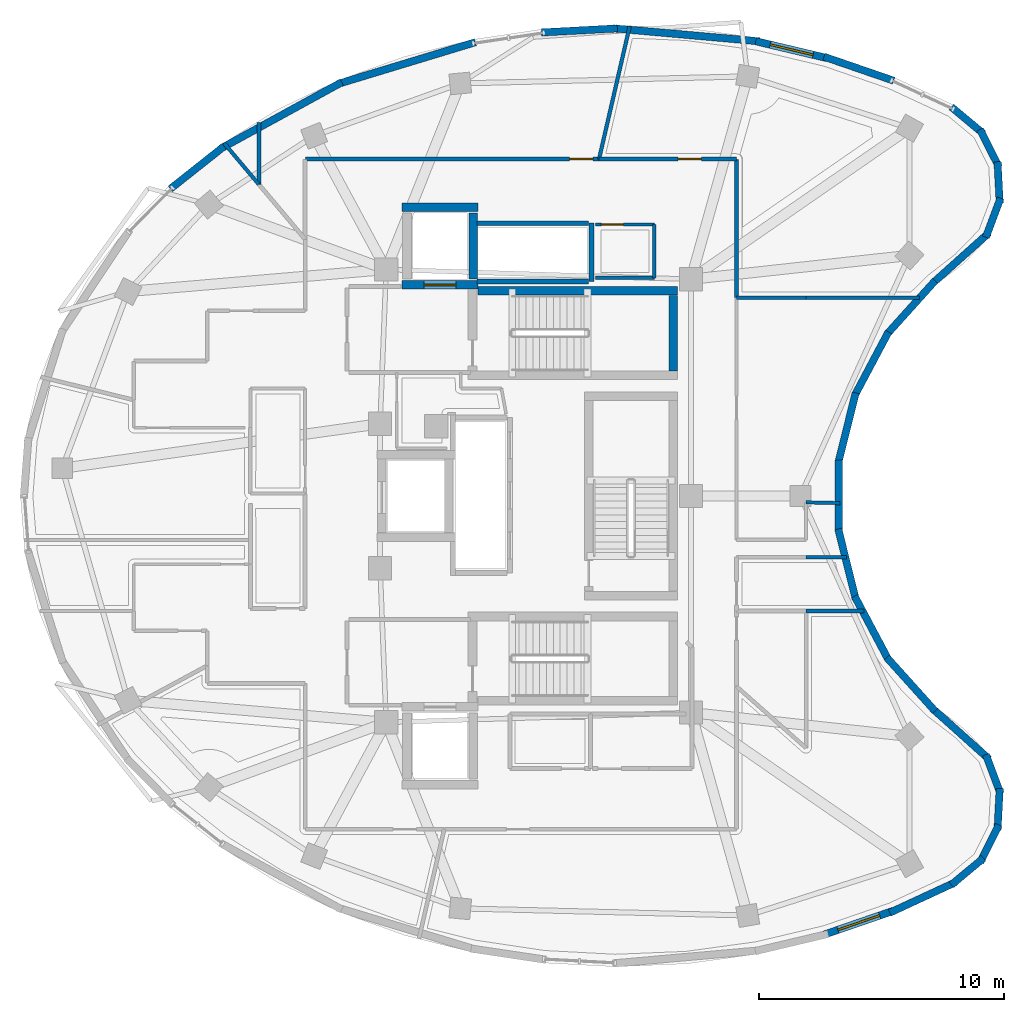
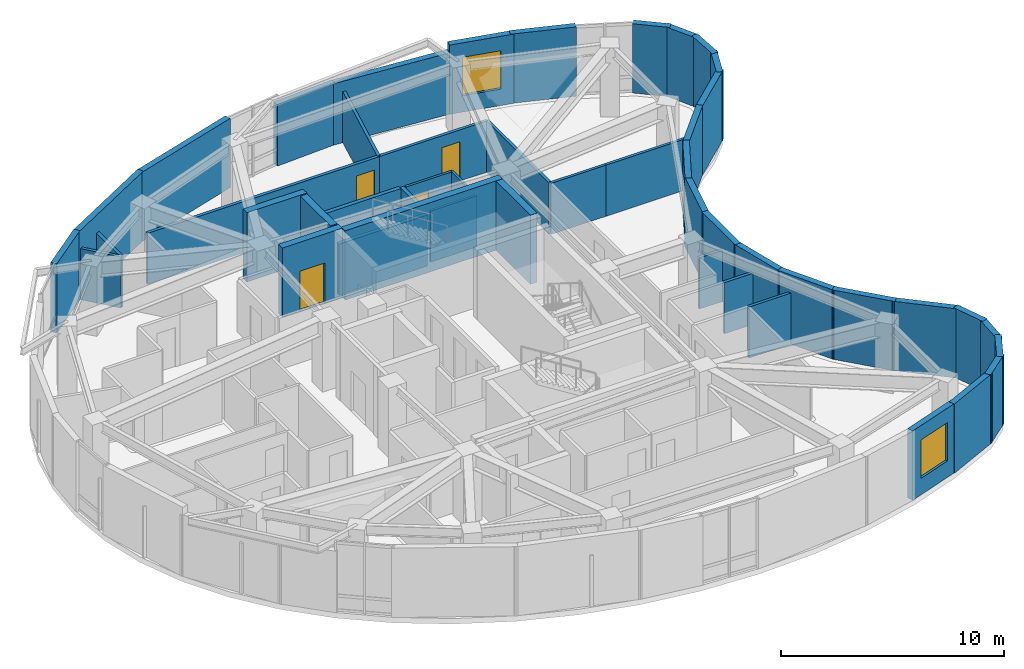
# One storey, part 8 of 12: 48 walls, 4 doors, 2 windows, 6 openings.
"""IFC4 building model written with IfcOpenShell, lengths in metres."""

from ifc_helpers import new_model, si_unit, direction, frame, frame_2d, origin, place, context, subcontext, project, spatial, rectangle, extrude, material, layer, layer_set, type_object, element, fill, save


model = new_model("IFC4")

# Units and contexts
model_context = context("Model", 3, precision=1e-05, world=origin(), true_north=direction((0.0, 1.0)))
body_context = subcontext(model_context, "Body", "Model", "MODEL_VIEW")
ifc_project = project(units=[si_unit("LENGTHUNIT", "METRE"), si_unit("AREAUNIT", "SQUARE_METRE"), si_unit("VOLUMEUNIT", "CUBIC_METRE"), si_unit("PLANEANGLEUNIT", "RADIAN"), si_unit("MASSUNIT", "GRAM", prefix="KILO")], contexts=[model_context])

# Site, building, storey
site_placement = place(None, origin())
site = spatial("IfcSite", under=ifc_project, at=site_placement, CompositionType="ELEMENT")
building_placement = place(site_placement, origin())
building = spatial("IfcBuilding", under=site, at=building_placement, Name="Korentha Bioscience Tower", CompositionType="ELEMENT")
storey_placement = place(building_placement, frame((0.0, 0.0, 282.60009765625)))
storey = spatial("IfcBuildingStorey", under=building, at=storey_placement, Name="L65", CompositionType="ELEMENT", Elevation=282.60009765625)

# Wall, opening, door
ifc_material_1 = material(Name="Double-Stud Acoustic Gypsum", Category="gypsum")
ifc_layer_1 = layer(ifc_material_1, 0.14990234375, Name="Double-Stud Acoustic Gypsum")
ifc_layer_set_1 = layer_set([ifc_layer_1], Name="Double-Stud Acoustic Gypsum (IW-L150)")
wall_type_1 = type_object("IfcWallType", Name="Acoustic Laboratory Partition Wall 150", PredefinedType="PARTITIONING", material=ifc_layer_set_1)
wall_1_placement = place(storey_placement, frame((39.39990234375, 40.760009765625, 0.0), z_axis=(0.0, 0.0, 1.0), x_axis=(-1.0, 0.0, 0.0)))
wall_1 = element("IfcWall", 1, at=wall_1_placement, inside=storey, type_object=wall_type_1, Name="L65 Peptide Synthesis Wet Lab 09 Entrance Wall", PredefinedType="PARTITIONING", context=body_context, shape_type="SweptSolid", body=[
    extrude(rectangle(XDim=5.605712890625, YDim=0.14990234375, at=frame_2d((2.802734375, 0.0))), origin(), (0.0, 0.0, 1.0), 2.7998046875),
])
opening_1_placement = place(wall_1_placement, frame((1.427978515625, 0.0, 0.0)))
opening_1 = element("IfcOpeningElement", 2, at=opening_1_placement, cuts=wall_1, Name="Opening ID-10R", PredefinedType="OPENING", context=body_context, shape_type="SweptSolid", body=[
    extrude(rectangle(XDim=0.949951171875, YDim=2.14990234375, at=frame_2d((0.47509765625, 1.074951171875))), frame((0.0, 0.08984375, 0.0), z_axis=(0.0, -1.0, 0.0), x_axis=(1.0, 0.0, 0.0)), (0.0, 0.0, 1.0), 0.1796875),
])
ifc_material_2 = material(Name="Phenolic Laminate Timber Core", Category="wood")
door_type_1 = type_object("IfcDoorType", Name="Laboratory Single Leaf Door 950x2150 Right", OperationType="SINGLE_SWING_RIGHT", PredefinedType="DOOR", material=ifc_material_2)
door_1_placement = place(opening_1_placement, origin())
door_1 = element("IfcDoor", 3, at=door_1_placement, inside=storey, type_object=door_type_1, Name="L65 Peptide Synthesis Wet Lab 09 Door", OperationType="SINGLE_SWING_RIGHT", OverallHeight=2.14990234375, OverallWidth=0.949951171875, PredefinedType="DOOR", context=body_context, shape_type="SweptSolid", body=[
    extrude(rectangle(XDim=0.949951171875, YDim=2.14990234375, at=frame_2d((0.47509765625, 1.074951171875))), frame((0.0, 0.02490234375, 0.0), z_axis=(0.0, -1.0, 0.0), x_axis=(1.0, 0.0, 0.0)), (0.0, 0.0, 1.0), 0.050048828125),
])
fill(opening_1, door_1)

# Walls
wall_2_placement = place(storey_placement, frame((42.252197265625, 22.298095703125, 0.0), z_axis=(0.0, 0.0, 1.0), x_axis=(1.0, 0.0, 0.0)))
element("IfcWall", 4, at=wall_2_placement, inside=storey, type_object=wall_type_1, Name="L65 Interior Partition 046", PredefinedType="PARTITIONING", context=body_context, shape_type="SweptSolid", body=[
    extrude(rectangle(XDim=2.37060546875, YDim=0.14990234375, at=frame_2d((1.185302734375, 0.0))), origin(), (0.0, 0.0, 1.0), 2.7998046875),
])
wall_3_placement = place(storey_placement, frame((42.252197265625, 24.498046875, 0.0), z_axis=(0.0, 0.0, 1.0), x_axis=(1.0, 0.0, 0.0)))
element("IfcWall", 5, at=wall_3_placement, inside=storey, type_object=wall_type_1, Name="L65 Interior Partition 050", PredefinedType="PARTITIONING", context=body_context, shape_type="SweptSolid", body=[
    extrude(rectangle(XDim=1.650634765625, YDim=0.14990234375, at=frame_2d((0.8251953125, 0.0))), origin(), (0.0, 0.0, 1.0), 2.7998046875),
])
wall_4_placement = place(storey_placement, frame((39.409912109375, 35.10791015625, 0.0), z_axis=(0.0, 0.0, 1.0), x_axis=(0.0, 1.0, 0.0)))
element("IfcWall", 6, at=wall_4_placement, inside=storey, type_object=wall_type_1, Name="L65 Interior Partition 057", PredefinedType="PARTITIONING", context=body_context, shape_type="SweptSolid", body=[
    extrude(rectangle(XDim=5.64208984375, YDim=0.14990234375, at=frame_2d((2.821044921875, 0.0))), origin(), (0.0, 0.0, 1.0), 2.7998046875),
])
wall_5_placement = place(storey_placement, frame((33.794189453125, 40.760009765625, 0.0), z_axis=(0.0, 0.0, 1.0), x_axis=(0.224974808594, 0.974364580379, 0.0)))
element("IfcWall", 7, at=wall_5_placement, inside=storey, type_object=wall_type_1, Name="L65 Interior Partition 058", PredefinedType="PARTITIONING", context=body_context, shape_type="SweptSolid", body=[
    extrude(rectangle(XDim=5.567138671875, YDim=0.14990234375, at=frame_2d((2.78369140625, 0.0))), origin(), (0.0, 0.0, 1.0), 2.7998046875),
])
wall_6_placement = place(storey_placement, frame((18.479248046875, 41.4091796875, 0.0), z_axis=(0.0, 0.0, 1.0), x_axis=(0.644139173412, -0.764908311679, 0.0)))
element("IfcWall", 8, at=wall_6_placement, inside=storey, type_object=wall_type_1, Name="L65 Interior Partition 067", PredefinedType="PARTITIONING", context=body_context, shape_type="SweptSolid", body=[
    extrude(rectangle(XDim=2.193359375, YDim=0.14990234375, at=frame_2d((1.0966796875, 0.0))), origin(), (0.0, 0.0, 1.0), 2.7998046875),
])
ifc_material_3 = material(Name="Insulated Aluminium Honeycomb Panel", Category="aluminium")
ifc_layer_2 = layer(ifc_material_3, 0.139892578125, Name="Insulated Aluminium Honeycomb Panel")
ifc_layer_set_2 = layer_set([ifc_layer_2], Name="Insulated Aluminium Honeycomb Panel (IW-F60)")
wall_type_2 = type_object("IfcWallType", Name="Cleanroom Flush Metal Panel Partition 140", PredefinedType="PARTITIONING", material=ifc_layer_set_2)
wall_7_placement = place(storey_placement, frame((42.252197265625, 35.097900390625, 0.0), z_axis=(0.0, 0.0, 1.0), x_axis=(1.0, 0.0, 0.0)))
element("IfcWall", 9, at=wall_7_placement, inside=storey, type_object=wall_type_2, Name="L65 Interior Partition 052", PredefinedType="PARTITIONING", context=body_context, shape_type="SweptSolid", body=[
    extrude(rectangle(XDim=4.630859375, YDim=0.139892578125, at=frame_2d((2.3154296875, 0.0))), origin(), (0.0, 0.0, 1.0), 2.7998046875),
])
wall_8_placement = place(storey_placement, frame((43.634033203125, 26.70654296875, 0.0), z_axis=(0.0, 0.0, 1.0), x_axis=(-0.999744382527, 0.022609060241, 0.0)))
element("IfcWall", 10, at=wall_8_placement, inside=storey, type_object=wall_type_2, Name="L65 Interior Partition 053", PredefinedType="PARTITIONING", context=body_context, shape_type="SweptSolid", body=[
    extrude(rectangle(XDim=1.382080078125, YDim=0.139892578125, at=frame_2d((0.69091796875, 0.0))), origin(), (0.0, 0.0, 1.0), 2.7998046875),
])
wall_9_placement = place(storey_placement, frame((39.409912109375, 35.097900390625, 0.0), z_axis=(0.0, 0.0, 1.0), x_axis=(1.0, 0.0, 0.0)))
element("IfcWall", 11, at=wall_9_placement, inside=storey, type_object=wall_type_2, Name="L65 Interior Partition 056", PredefinedType="PARTITIONING", context=body_context, shape_type="SweptSolid", body=[
    extrude(rectangle(XDim=2.837890625, YDim=0.139892578125, at=frame_2d((1.4189453125, 0.0))), origin(), (0.0, 0.0, 1.0), 2.7998046875),
])

# Wall, opening, door
ifc_material_4 = material(Name="Gypsum-Clad Steel Stud", Category="steel")
ifc_layer_3 = layer(ifc_material_4, 0.159912109375, Name="Gypsum-Clad Steel Stud")
ifc_layer_set_3 = layer_set([ifc_layer_3], Name="Gypsum-Clad Steel Stud (IW-C160)")
wall_type_3 = type_object("IfcWallType", Name="Fire-Rated Corridor Partition Wall 160", PredefinedType="PARTITIONING", material=ifc_layer_set_3)
wall_10_placement = place(storey_placement, frame((33.7841796875, 40.760009765625, 0.0), z_axis=(0.0, 0.0, 1.0), x_axis=(-1.0, 0.0, 0.0)))
wall_10 = element("IfcWall", 12, at=wall_10_placement, inside=storey, type_object=wall_type_3, Name="L65 Ultrapure Water Polisher Plant Alcove 10 Entrance Wall", PredefinedType="PARTITIONING", context=body_context, shape_type="SweptSolid", body=[
    extrude(rectangle(XDim=11.984130859375, YDim=0.159912109375, at=frame_2d((5.9921875, 0.0))), origin(), (0.0, 0.0, 1.0), 2.7998046875),
])
opening_2_placement = place(wall_10_placement, frame((0.239990234375, 0.0, 0.0)))
opening_2 = element("IfcOpeningElement", 13, at=opening_2_placement, cuts=wall_10, Name="Opening FD-120D", PredefinedType="OPENING", context=body_context, shape_type="SweptSolid", body=[
    extrude(rectangle(XDim=0.949951171875, YDim=2.14990234375, at=frame_2d((0.47509765625, 1.074951171875))), frame((0.0, 0.0947265625, 0.0), z_axis=(0.0, -1.0, 0.0), x_axis=(1.0, 0.0, 0.0)), (0.0, 0.0, 1.0), 0.189697265625),
])
ifc_material_5 = material(Name="Heavy-Duty Insulated Steel", Category="steel")
door_type_2 = type_object("IfcDoorType", Name="Plant & Riser Fire Door 950x2150 Left", OperationType="SINGLE_SWING_LEFT", PredefinedType="DOOR", material=ifc_material_5)
door_2_placement = place(opening_2_placement, origin())
door_2 = element("IfcDoor", 14, at=door_2_placement, inside=storey, type_object=door_type_2, Name="L65 Ultrapure Water Polisher Plant Alcove 10 Door", OperationType="SINGLE_SWING_LEFT", OverallHeight=2.14990234375, OverallWidth=0.949951171875, PredefinedType="DOOR", context=body_context, shape_type="SweptSolid", body=[
    extrude(rectangle(XDim=0.949951171875, YDim=2.14990234375, at=frame_2d((0.47509765625, 1.074951171875))), frame((0.0, 0.02490234375, 0.0), z_axis=(0.0, -1.0, 0.0), x_axis=(1.0, 0.0, 0.0)), (0.0, 0.0, 1.0), 0.050048828125),
])
fill(opening_2, door_2)

# Wall
wall_11_placement = place(storey_placement, frame((19.902099609375, 39.725830078125, 0.0), z_axis=(0.0, 0.0, 1.0), x_axis=(0.0, 1.0, 0.0)))
element("IfcWall", 15, at=wall_11_placement, inside=storey, type_object=wall_type_3, Name="L65 Interior Partition 059", PredefinedType="PARTITIONING", context=body_context, shape_type="SweptSolid", body=[
    extrude(rectangle(XDim=2.5224609375, YDim=0.159912109375, at=frame_2d((1.26123046875, 0.0))), origin(), (0.0, 0.0, 1.0), 2.7998046875),
])

# Wall, opening, window
ifc_material_6 = material(Name="Honed Limestone Precast Concrete C40", Category="masonry")
ifc_layer_4 = layer(ifc_material_6, 0.300048828125, Name="Honed Limestone Precast Concrete C40")
ifc_layer_set_4 = layer_set([ifc_layer_4], Name="Honed Limestone Precast Concrete C40 (EW-ST300)")
wall_type_4 = type_object("IfcWallType", Name="Honed Limestone Cavity Spandrel Wall 300", PredefinedType="STANDARD", material=ifc_layer_set_4)
wall_12_placement = place(storey_placement, frame((43.12939453125, 44.87890625, 0.0), z_axis=(0.0, 0.0, 1.0), x_axis=(-0.9731008332, 0.230379618079, 0.0)))
wall_12 = element("IfcWall", 16, at=wall_12_placement, inside=storey, type_object=wall_type_4, Name="L65 Honed Limestone Spandrel Wall 03", PredefinedType="STANDARD", context=body_context, shape_type="SweptSolid", body=[
    extrude(rectangle(XDim=3.014892578125, YDim=0.300048828125, at=frame_2d((1.50732421875, 0.0))), origin(), (0.0, 0.0, 1.0), 3.789794921875),
])
opening_3_placement = place(wall_12_placement, frame((0.607421875, 0.0, 0.89990234375)))
opening_3 = element("IfcOpeningElement", 17, at=opening_3_placement, cuts=wall_12, Name="Opening WN-01", PredefinedType="OPENING", context=body_context, shape_type="SweptSolid", body=[
    extrude(rectangle(XDim=1.800048828125, YDim=2.10009765625, at=frame_2d((0.89990234375, 1.050048828125))), frame((0.0, 0.1650390625, 0.0), z_axis=(0.0, -1.0, 0.0), x_axis=(1.0, 0.0, 0.0)), (0.0, 0.0, 1.0), 0.329833984375),
])
ifc_material_7 = material(Name="Thermally Broken Aluminium Triple Glazing", Category="aluminium")
window_type = type_object("IfcWindowType", Name="Triple-Glazed Fixed Bioscience Window 1800x2100", PartitioningType="SINGLE_PANEL", PredefinedType="WINDOW", material=ifc_material_7)
window_1_placement = place(opening_3_placement, origin())
window_1 = element("IfcWindow", 18, at=window_1_placement, inside=storey, type_object=window_type, Name="L65 Facade Window 03", OverallHeight=2.10009765625, OverallWidth=1.800048828125, PartitioningType="SINGLE_PANEL", PredefinedType="WINDOW", context=body_context, shape_type="SweptSolid", body=[
    extrude(rectangle(XDim=1.800048828125, YDim=2.10009765625, at=frame_2d((0.89990234375, 1.050048828125))), frame((0.0, 0.030029296875, 0.0), z_axis=(0.0, -1.0, 0.0), x_axis=(1.0, 0.0, 0.0)), (0.0, 0.0, 1.0), 0.06005859375),
])
fill(opening_3, window_1)

wall_13_placement = place(storey_placement, frame((42.9990234375, 9.08349609375, 0.0), z_axis=(0.0, 0.0, 1.0), x_axis=(0.945564127376, 0.325435832416, 0.0)))
wall_13 = element("IfcWall", 19, at=wall_13_placement, inside=storey, type_object=wall_type_4, Name="L65 Honed Limestone Spandrel Wall 35", PredefinedType="STANDARD", context=body_context, shape_type="SweptSolid", body=[
    extrude(rectangle(XDim=2.969970703125, YDim=0.300048828125, at=frame_2d((1.48486328125, 0.0))), origin(), (0.0, 0.0, 1.0), 3.789794921875),
])
opening_4_placement = place(wall_13_placement, frame((0.5849609375, 0.0, 0.89990234375)))
opening_4 = element("IfcOpeningElement", 20, at=opening_4_placement, cuts=wall_13, Name="Opening WN-01", PredefinedType="OPENING", context=body_context, shape_type="SweptSolid", body=[
    extrude(rectangle(XDim=1.800048828125, YDim=2.10009765625, at=frame_2d((0.89990234375, 1.050048828125))), frame((0.0, 0.1650390625, 0.0), z_axis=(0.0, -1.0, 0.0), x_axis=(1.0, 0.0, 0.0)), (0.0, 0.0, 1.0), 0.329833984375),
])
window_2_placement = place(opening_4_placement, origin())
window_2 = element("IfcWindow", 21, at=window_2_placement, inside=storey, type_object=window_type, Name="L65 Facade Window 35", OverallHeight=2.10009765625, OverallWidth=1.800048828125, PartitioningType="SINGLE_PANEL", PredefinedType="WINDOW", context=body_context, shape_type="SweptSolid", body=[
    extrude(rectangle(XDim=1.800048828125, YDim=2.10009765625, at=frame_2d((0.89990234375, 1.050048828125))), frame((0.0, 0.030029296875, 0.0), z_axis=(0.0, -1.0, 0.0), x_axis=(1.0, 0.0, 0.0)), (0.0, 0.0, 1.0), 0.06005859375),
])
fill(opening_4, window_2)

# Walls
wall_14_placement = place(storey_placement, frame((45.832763671875, 43.96240234375, 0.0), z_axis=(0.0, 0.0, 1.0), x_axis=(-0.945539222934, 0.325508184064, 0.0)))
element("IfcWall", 22, at=wall_14_placement, inside=storey, type_object=wall_type_4, Name="L65 Limestone Perimeter Closure Wall 02", PredefinedType="STANDARD", context=body_context, shape_type="SweptSolid", body=[
    extrude(rectangle(XDim=3.009765625, YDim=0.300048828125, at=frame_2d((1.5048828125, 0.0))), origin(), (0.0, 0.0, 1.0), 3.789794921875),
])
wall_15_placement = place(storey_placement, frame((40.358154296875, 45.569091796875, 0.0), z_axis=(0.0, 0.0, 1.0), x_axis=(-0.99608733171, 0.088374360578, 0.0)))
element("IfcWall", 23, at=wall_15_placement, inside=storey, type_object=wall_type_4, Name="L65 Limestone Perimeter Closure Wall 04", PredefinedType="STANDARD", context=body_context, shape_type="SweptSolid", body=[
    extrude(rectangle(XDim=6.01953125, YDim=0.300048828125, at=frame_2d((3.009765625, 0.0))), origin(), (0.0, 0.0, 1.0), 3.35986328125),
])
wall_16_placement = place(storey_placement, frame((34.54150390625, 46.097900390625, 0.0), z_axis=(0.0, 0.0, 1.0), x_axis=(-0.998577283854, -0.053323617382, 0.0)))
element("IfcWall", 24, at=wall_16_placement, inside=storey, type_object=wall_type_4, Name="L65 Limestone Perimeter Closure Wall 06", PredefinedType="STANDARD", context=body_context, shape_type="SweptSolid", body=[
    extrude(rectangle(XDim=3.099609375, YDim=0.300048828125, at=frame_2d((1.5498046875, 0.0))), origin(), (0.0, 0.0, 1.0), 3.35986328125),
])
wall_17_placement = place(storey_placement, frame((28.745361328125, 45.53369140625, 0.0), z_axis=(0.0, 0.0, 1.0), x_axis=(-0.95696124157, -0.290215751008, 0.0)))
element("IfcWall", 25, at=wall_17_placement, inside=storey, type_object=wall_type_4, Name="L65 Limestone Perimeter Closure Wall 08", PredefinedType="STANDARD", context=body_context, shape_type="SweptSolid", body=[
    extrude(rectangle(XDim=5.88623046875, YDim=0.300048828125, at=frame_2d((2.943115234375, 0.0))), origin(), (0.0, 0.0, 1.0), 3.789794921875),
])
wall_18_placement = place(storey_placement, frame((23.285888671875, 43.898193359375, 0.0), z_axis=(0.0, 0.0, 1.0), x_axis=(-0.877062479499, -0.480376318166, 0.0)))
element("IfcWall", 26, at=wall_18_placement, inside=storey, type_object=wall_type_4, Name="L65 Limestone Perimeter Closure Wall 10", PredefinedType="STANDARD", context=body_context, shape_type="SweptSolid", body=[
    extrude(rectangle(XDim=5.653564453125, YDim=0.300048828125, at=frame_2d((2.82666015625, 0.0))), origin(), (0.0, 0.0, 1.0), 3.789794921875),
])
wall_19_placement = place(storey_placement, frame((18.47998046875, 41.283447265625, 0.0), z_axis=(0.0, 0.0, 1.0), x_axis=(-0.784028163495, -0.620725252303, 0.0)))
element("IfcWall", 27, at=wall_19_placement, inside=storey, type_object=wall_type_4, Name="L65 Limestone Perimeter Closure Wall 12", PredefinedType="STANDARD", context=body_context, shape_type="SweptSolid", body=[
    extrude(rectangle(XDim=2.80322265625, YDim=0.300048828125, at=frame_2d((1.401611328125, 0.0))), origin(), (0.0, 0.0, 1.0), 3.789794921875),
])
wall_20_placement = place(storey_placement, frame((45.671142578125, 9.97265625, 0.0), z_axis=(0.0, 0.0, 1.0), x_axis=(0.907185947811, 0.420729908722, 0.0)))
element("IfcWall", 28, at=wall_20_placement, inside=storey, type_object=wall_type_4, Name="L65 Limestone Perimeter Closure Wall 36", PredefinedType="STANDARD", context=body_context, shape_type="SweptSolid", body=[
    extrude(rectangle(XDim=2.953125, YDim=0.300048828125, at=frame_2d((1.4765625, 0.0))), origin(), (0.0, 0.0, 1.0), 3.789794921875),
])
for number, where, z_axis, x_axis, name in (
    (29, (48.185302734375, 11.11083984375, 0.0), (0.0, 0.0, 1.0), (0.769148122421, 0.639070548356, 0.0), "L65 Limestone Perimeter Closure Wall 37"),
    (30, (49.363037109375, 12.032470703125, 0.0), (0.0, 0.0, 1.0), (0.44870292085, 0.893680977095, 0.0), "L65 Limestone Perimeter Closure Wall 38"),
):
    element("IfcWall", number, at=place(storey_placement, frame(where, z_axis=z_axis, x_axis=x_axis)), inside=storey, type_object=wall_type_4, Name=name, PredefinedType="STANDARD", context=body_context, shape_type="SweptSolid", body=[
        extrude(rectangle(XDim=1.7041015625, YDim=0.300048828125, at=frame_2d((0.85205078125, 0.0))), origin(), (0.0, 0.0, 1.0), 3.789794921875),
    ])
for number, where, z_axis, x_axis, name in (
    (31, (50.07275390625, 13.3486328125, 0.0), (0.0, 0.0, 1.0), (0.053145273218, 0.998586791388, 0.0), "L65 Limestone Perimeter Closure Wall 39"),
    (32, (50.19580078125, 14.839111328125, 0.0), (0.0, 0.0, 1.0), (-0.351374594418, 0.936234956834, 0.0), "L65 Limestone Perimeter Closure Wall 40"),
):
    element("IfcWall", number, at=place(storey_placement, frame(where, z_axis=z_axis, x_axis=x_axis)), inside=storey, type_object=wall_type_4, Name=name, PredefinedType="STANDARD", context=body_context, shape_type="SweptSolid", body=[
        extrude(rectangle(XDim=1.704345703125, YDim=0.300048828125, at=frame_2d((0.85205078125, 0.0))), origin(), (0.0, 0.0, 1.0), 3.789794921875),
    ])
wall_21_placement = place(storey_placement, frame((49.722412109375, 16.251220703125, 0.0), z_axis=(0.0, 0.0, 1.0), x_axis=(-0.744720921046, 0.667376018266, 0.0)))
element("IfcWall", 33, at=wall_21_placement, inside=storey, type_object=wall_type_4, Name="L65 Limestone Perimeter Closure Wall 41", PredefinedType="STANDARD", context=body_context, shape_type="SweptSolid", body=[
    extrude(rectangle(XDim=3.093505859375, YDim=0.300048828125, at=frame_2d((1.546875, 0.0))), origin(), (0.0, 0.0, 1.0), 3.789794921875),
])
wall_22_placement = place(storey_placement, frame((47.521240234375, 18.21337890625, 0.0), z_axis=(0.0, 0.0, 1.0), x_axis=(-0.669166006669, 0.743112949368, 0.0)))
element("IfcWall", 34, at=wall_22_placement, inside=storey, type_object=wall_type_4, Name="L65 Limestone Perimeter Closure Wall 43", PredefinedType="STANDARD", context=body_context, shape_type="SweptSolid", body=[
    extrude(rectangle(XDim=2.9482421875, YDim=0.300048828125, at=frame_2d((1.47412109375, 0.0))), origin(), (0.0, 0.0, 1.0), 3.789794921875),
])
wall_23_placement = place(storey_placement, frame((45.619873046875, 20.30224609375, 0.0), z_axis=(0.0, 0.0, 1.0), x_axis=(-0.469466013123, 0.882950543644, 0.0)))
element("IfcWall", 35, at=wall_23_placement, inside=storey, type_object=wall_type_4, Name="L65 Limestone Perimeter Closure Wall 45", PredefinedType="STANDARD", context=body_context, shape_type="SweptSolid", body=[
    extrude(rectangle(XDim=2.947998046875, YDim=0.300048828125, at=frame_2d((1.47412109375, 0.0))), origin(), (0.0, 0.0, 1.0), 3.789794921875),
])
wall_24_placement = place(storey_placement, frame((44.280517578125, 22.788818359375, 0.0), z_axis=(0.0, 0.0, 1.0), x_axis=(-0.24195108751, 0.970288447449, 0.0)))
element("IfcWall", 36, at=wall_24_placement, inside=storey, type_object=wall_type_4, Name="L65 Limestone Perimeter Closure Wall 47", PredefinedType="STANDARD", context=body_context, shape_type="SweptSolid", body=[
    extrude(rectangle(XDim=2.948486328125, YDim=0.300048828125, at=frame_2d((1.47412109375, 0.0))), origin(), (0.0, 0.0, 1.0), 3.789794921875),
])
wall_25_placement = place(storey_placement, frame((43.58251953125, 25.52587890625, 0.0), z_axis=(0.0, 0.0, 1.0), x_axis=(0.0, 1.0, 0.0)))
element("IfcWall", 37, at=wall_25_placement, inside=storey, type_object=wall_type_4, Name="L65 Limestone Perimeter Closure Wall 49", PredefinedType="STANDARD", context=body_context, shape_type="SweptSolid", body=[
    extrude(rectangle(XDim=2.9482421875, YDim=0.300048828125, at=frame_2d((1.47412109375, 0.0))), origin(), (0.0, 0.0, 1.0), 3.789794921875),
])
wall_26_placement = place(storey_placement, frame((43.567138671875, 28.350341796875, 0.0), z_axis=(0.0, 0.0, 1.0), x_axis=(0.24195108751, 0.970288447449, 0.0)))
element("IfcWall", 38, at=wall_26_placement, inside=storey, type_object=wall_type_4, Name="L65 Limestone Perimeter Closure Wall 51", PredefinedType="STANDARD", context=body_context, shape_type="SweptSolid", body=[
    extrude(rectangle(XDim=2.948486328125, YDim=0.300048828125, at=frame_2d((1.47412109375, 0.0))), origin(), (0.0, 0.0, 1.0), 3.789794921875),
])
wall_27_placement = place(storey_placement, frame((44.23583984375, 31.0947265625, 0.0), z_axis=(0.0, 0.0, 1.0), x_axis=(0.469466013123, 0.882950543644, 0.0)))
element("IfcWall", 39, at=wall_27_placement, inside=storey, type_object=wall_type_4, Name="L65 Limestone Perimeter Closure Wall 53", PredefinedType="STANDARD", context=body_context, shape_type="SweptSolid", body=[
    extrude(rectangle(XDim=2.947998046875, YDim=0.300048828125, at=frame_2d((1.47412109375, 0.0))), origin(), (0.0, 0.0, 1.0), 3.789794921875),
])
wall_28_placement = place(storey_placement, frame((45.54833984375, 33.595703125, 0.0), z_axis=(0.0, 0.0, 1.0), x_axis=(0.669166006669, 0.743112949368, 0.0)))
element("IfcWall", 40, at=wall_28_placement, inside=storey, type_object=wall_type_4, Name="L65 Limestone Perimeter Closure Wall 55", PredefinedType="STANDARD", context=body_context, shape_type="SweptSolid", body=[
    extrude(rectangle(XDim=2.9482421875, YDim=0.300048828125, at=frame_2d((1.47412109375, 0.0))), origin(), (0.0, 0.0, 1.0), 3.789794921875),
])
wall_29_placement = place(storey_placement, frame((47.418701171875, 35.684326171875, 0.0), z_axis=(0.0, 0.0, 1.0), x_axis=(0.744720921046, 0.667376018266, 0.0)))
element("IfcWall", 41, at=wall_29_placement, inside=storey, type_object=wall_type_4, Name="L65 Limestone Perimeter Closure Wall 57", PredefinedType="STANDARD", context=body_context, shape_type="SweptSolid", body=[
    extrude(rectangle(XDim=3.093505859375, YDim=0.300048828125, at=frame_2d((1.546875, 0.0))), origin(), (0.0, 0.0, 1.0), 3.789794921875),
])
for number, where, z_axis, x_axis, name in (
    (42, (49.596923828125, 37.565185546875, 0.0), (0.0, 0.0, 1.0), (0.351374594418, 0.936234956834, 0.0), "L65 Limestone Perimeter Closure Wall 59"),
    (43, (50.163330078125, 38.949462890625, 0.0), (0.0, 0.0, 1.0), (-0.053145273218, 0.998586791388, 0.0), "L65 Limestone Perimeter Closure Wall 60"),
):
    element("IfcWall", number, at=place(storey_placement, frame(where, z_axis=z_axis, x_axis=x_axis)), inside=storey, type_object=wall_type_4, Name=name, PredefinedType="STANDARD", context=body_context, shape_type="SweptSolid", body=[
        extrude(rectangle(XDim=1.704345703125, YDim=0.300048828125, at=frame_2d((0.85205078125, 0.0))), origin(), (0.0, 0.0, 1.0), 3.789794921875),
    ])
for number, where, z_axis, x_axis, name in (
    (44, (50.127685546875, 40.444580078125, 0.0), (0.0, 0.0, 1.0), (-0.44870292085, 0.893680977095, 0.0), "L65 Limestone Perimeter Closure Wall 61"),
    (45, (49.49609375, 41.800048828125, 0.0), (0.0, 0.0, 1.0), (-0.769148122421, 0.639070548356, 0.0), "L65 Limestone Perimeter Closure Wall 62"),
):
    element("IfcWall", number, at=place(storey_placement, frame(where, z_axis=z_axis, x_axis=x_axis)), inside=storey, type_object=wall_type_4, Name=name, PredefinedType="STANDARD", context=body_context, shape_type="SweptSolid", body=[
        extrude(rectangle(XDim=1.7041015625, YDim=0.300048828125, at=frame_2d((0.85205078125, 0.0))), origin(), (0.0, 0.0, 1.0), 3.789794921875),
    ])
ifc_material_8 = material(Name="Autoclaved Aerated Concrete Block C25", Category="concrete")
ifc_layer_5 = layer(ifc_material_8, 0.199951171875, Name="Autoclaved Aerated Concrete Block C25")
ifc_layer_set_5 = layer_set([ifc_layer_5], Name="Autoclaved Aerated Concrete Block C25 (IW-S200)")
wall_type_5 = type_object("IfcWallType", Name="Lift and Riser Shaft Enclosure Wall 200", PredefinedType="PARTITIONING", material=ifc_layer_set_5)
wall_30_placement = place(storey_placement, frame((33.489990234375, 35.760009765625, 0.0), z_axis=(0.0, 0.0, 1.0), x_axis=(0.0, 1.0, 0.0)))
element("IfcWall", 46, at=wall_30_placement, inside=storey, type_object=wall_type_5, Name="L65 Lift Bank OBS Shaft Wall +X", PredefinedType="PARTITIONING", context=body_context, shape_type="SweptSolid", body=[
    extrude(rectangle(XDim=2.3798828125, YDim=0.199951171875, at=frame_2d((1.18994140625, 0.0))), origin(), (0.0, 0.0, 1.0), 2.7998046875),
])
for number, where, z_axis, x_axis, name in (
    (47, (28.800048828125, 35.760009765625, 0.0), (0.0, 0.0, 1.0), (1.0, 0.0, 0.0), "L65 Lift Bank OBS Shaft Wall -Y"),
    (48, (28.800048828125, 38.139892578125, 0.0), (0.0, 0.0, 1.0), (1.0, 0.0, 0.0), "L65 Lift Bank OBS Shaft Wall +Y"),
):
    element("IfcWall", number, at=place(storey_placement, frame(where, z_axis=z_axis, x_axis=x_axis)), inside=storey, type_object=wall_type_5, Name=name, PredefinedType="PARTITIONING", context=body_context, shape_type="SweptSolid", body=[
        extrude(rectangle(XDim=4.570068359375, YDim=0.199951171875, at=frame_2d((2.28515625, 0.0))), origin(), (0.0, 0.0, 1.0), 2.7998046875),
    ])
ifc_material_9 = material(Name="Concrete C50", Category="concrete")
ifc_layer_6 = layer(ifc_material_9, 0.35009765625, Name="Concrete C50")
ifc_layer_set_6 = layer_set([ifc_layer_6], Name="Concrete C50 (CW-C50)")
wall_type_6 = type_object("IfcWallType", Name="Upper Core Shear Wall 350", PredefinedType="SHEAR", material=ifc_layer_set_6)
wall_31_placement = place(storey_placement, frame((28.85205078125, 35.375, 0.0), z_axis=(0.0, 0.0, 1.0), x_axis=(1.0, 0.0, 0.0)))
element("IfcWall", 49, at=wall_31_placement, inside=storey, type_object=wall_type_6, Name="L65 Core Shear Wall ST1-N", PredefinedType="SHEAR", context=body_context, shape_type="SweptSolid", body=[
    extrude(rectangle(XDim=8.14794921875, YDim=0.35009765625, at=frame_2d((4.073974609375, 0.0))), origin(), (0.0, 0.0, 1.0), 3.789794921875),
])
wall_32_placement = place(storey_placement, frame((36.824951171875, 32.110107421875, 0.0), z_axis=(0.0, 0.0, 1.0), x_axis=(0.0, 1.0, 0.0)))
element("IfcWall", 50, at=wall_32_placement, inside=storey, type_object=wall_type_6, Name="L65 Core Shear Wall ST1-E", PredefinedType="SHEAR", context=body_context, shape_type="SweptSolid", body=[
    extrude(rectangle(XDim=3.079833984375, YDim=0.35009765625, at=frame_2d((1.5400390625, 0.0))), origin(), (0.0, 0.0, 1.0), 3.789794921875),
])
wall_33_placement = place(storey_placement, frame((25.75, 38.800048828125, 0.0), z_axis=(0.0, 0.0, 1.0), x_axis=(1.0, 0.0, 0.0)))
element("IfcWall", 51, at=wall_33_placement, inside=storey, type_object=wall_type_6, Name="L65 Core Shear Wall FFL2-N", PredefinedType="SHEAR", context=body_context, shape_type="SweptSolid", body=[
    extrude(rectangle(XDim=3.10009765625, YDim=0.35009765625, at=frame_2d((1.550048828125, 0.0))), origin(), (0.0, 0.0, 1.0), 3.789794921875),
])

# Wall, opening, door
wall_34_placement = place(storey_placement, frame((25.75, 35.6201171875, 0.0), z_axis=(0.0, 0.0, 1.0), x_axis=(1.0, 0.0, 0.0)))
wall_34 = element("IfcWall", 52, at=wall_34_placement, inside=storey, type_object=wall_type_6, Name="L65 Core Shear Wall FFL2-S", PredefinedType="SHEAR", context=body_context, shape_type="SweptSolid", body=[
    extrude(rectangle(XDim=3.10009765625, YDim=0.35009765625, at=frame_2d((1.550048828125, 0.0))), origin(), (0.0, 0.0, 1.0), 3.789794921875),
])
opening_5_placement = place(wall_34_placement, frame((0.89990234375, 0.0, 0.0)))
opening_5 = element("IfcOpeningElement", 53, at=opening_5_placement, cuts=wall_34, Name="Opening LD-13", PredefinedType="OPENING", context=body_context, shape_type="SweptSolid", body=[
    extrude(rectangle(XDim=1.300048828125, YDim=2.199951171875, at=frame_2d((0.64990234375, 1.10009765625))), frame((0.0, 0.18994140625, 0.0), z_axis=(0.0, -1.0, 0.0), x_axis=(1.0, 0.0, 0.0)), (0.0, 0.0, 1.0), 0.3798828125),
])
ifc_material_10 = material(Name="Brushed Stainless Steel 316", Category="steel")
door_type_3 = type_object("IfcDoorType", Name="Service & Firefighting Lift Landing Door 1300x2300", OperationType="DOUBLE_DOOR_SLIDING", PredefinedType="DOOR", material=ifc_material_10)
door_3_placement = place(opening_5_placement, origin())
door_3 = element("IfcDoor", 54, at=door_3_placement, inside=storey, type_object=door_type_3, Name="L65 FFL-2 Sliding Lift Landing Door", OperationType="DOUBLE_DOOR_SLIDING", OverallHeight=2.199951171875, OverallWidth=1.300048828125, PredefinedType="DOOR", context=body_context, shape_type="SweptSolid", body=[
    extrude(rectangle(XDim=1.300048828125, YDim=2.199951171875, at=frame_2d((0.64990234375, 1.10009765625))), frame((0.0, 0.02490234375, 0.0), z_axis=(0.0, -1.0, 0.0), x_axis=(1.0, 0.0, 0.0)), (0.0, 0.0, 1.0), 0.050048828125),
])
fill(opening_5, door_3)

# Wall
wall_35_placement = place(storey_placement, frame((28.64990234375, 35.860107421875, 0.0), z_axis=(0.0, 0.0, 1.0), x_axis=(0.0, 1.0, 0.0)))
element("IfcWall", 55, at=wall_35_placement, inside=storey, type_object=wall_type_6, Name="L65 Core Shear Wall FFL2-E", PredefinedType="SHEAR", context=body_context, shape_type="SweptSolid", body=[
    extrude(rectangle(XDim=2.699951171875, YDim=0.35009765625, at=frame_2d((1.35009765625, 0.0))), origin(), (0.0, 0.0, 1.0), 3.789794921875),
])

# Wall, opening, door
ifc_material_11 = material(Name="Cement-Board Steel Stud", Category="steel")
ifc_layer_7 = layer(ifc_material_11, 0.1298828125, Name="Cement-Board Steel Stud")
ifc_layer_set_7 = layer_set([ifc_layer_7], Name="Cement-Board Steel Stud (IW-W130)")
wall_type_7 = type_object("IfcWallType", Name="Wet-Area Moisture-Resistant Partition 130", PredefinedType="PARTITIONING", material=ifc_layer_set_7)
wall_36_placement = place(storey_placement, frame((33.64990234375, 38.090087890625, 0.0), z_axis=(0.0, 0.0, 1.0), x_axis=(1.0, 0.0, 0.0)))
wall_36 = element("IfcWall", 56, at=wall_36_placement, inside=storey, type_object=wall_type_7, Name="L65 Accessible Staff WC Entrance Wall", PredefinedType="PARTITIONING", context=body_context, shape_type="SweptSolid", body=[
    extrude(rectangle(XDim=2.400146484375, YDim=0.1298828125, at=frame_2d((1.2001953125, 0.0))), origin(), (0.0, 0.0, 1.0), 2.7998046875),
])
opening_6_placement = place(wall_36_placement, frame((0.239990234375, 0.0, 0.0)))
opening_6 = element("IfcOpeningElement", 57, at=opening_6_placement, cuts=wall_36, Name="Opening ID-09L", PredefinedType="OPENING", context=body_context, shape_type="SweptSolid", body=[
    extrude(rectangle(XDim=0.89990234375, YDim=2.14990234375, at=frame_2d((0.449951171875, 1.074951171875))), frame((0.0, 0.079833984375, 0.0), z_axis=(0.0, -1.0, 0.0), x_axis=(1.0, 0.0, 0.0)), (0.0, 0.0, 1.0), 0.15966796875),
])
ifc_material_12 = material(Name="Moisture-Resistant HPL Leaf", Category="wood")
door_type_4 = type_object("IfcDoorType", Name="Restroom & Accessible WC Door 900x2150 Left", OperationType="SINGLE_SWING_LEFT", PredefinedType="DOOR", material=ifc_material_12)
door_4_placement = place(opening_6_placement, origin())
door_4 = element("IfcDoor", 58, at=door_4_placement, inside=storey, type_object=door_type_4, Name="L65 Accessible Staff WC Door", OperationType="SINGLE_SWING_LEFT", OverallHeight=2.14990234375, OverallWidth=0.89990234375, PredefinedType="DOOR", context=body_context, shape_type="SweptSolid", body=[
    extrude(rectangle(XDim=0.89990234375, YDim=2.14990234375, at=frame_2d((0.449951171875, 1.074951171875))), frame((0.0, 0.02490234375, 0.0), z_axis=(0.0, -1.0, 0.0), x_axis=(1.0, 0.0, 0.0)), (0.0, 0.0, 1.0), 0.050048828125),
])
fill(opening_6, door_4)

# Walls
wall_37_placement = place(storey_placement, frame((36.050048828125, 35.909912109375, 0.0), z_axis=(0.0, 0.0, 1.0), x_axis=(-1.0, 0.0, 0.0)))
element("IfcWall", 59, at=wall_37_placement, inside=storey, type_object=wall_type_7, Name="L65 Interior Partition 021", PredefinedType="PARTITIONING", context=body_context, shape_type="SweptSolid", body=[
    extrude(rectangle(XDim=2.400146484375, YDim=0.1298828125, at=frame_2d((1.2001953125, 0.0))), origin(), (0.0, 0.0, 1.0), 2.7998046875),
])
wall_38_placement = place(storey_placement, frame((36.050048828125, 38.090087890625, 0.0), z_axis=(0.0, 0.0, 1.0), x_axis=(0.0, -1.0, 0.0)))
element("IfcWall", 60, at=wall_38_placement, inside=storey, type_object=wall_type_7, Name="L65 Interior Partition 022", PredefinedType="PARTITIONING", context=body_context, shape_type="SweptSolid", body=[
    extrude(rectangle(XDim=2.18017578125, YDim=0.1298828125, at=frame_2d((1.090087890625, 0.0))), origin(), (0.0, 0.0, 1.0), 2.7998046875),
])

save(model, "model.ifc")
